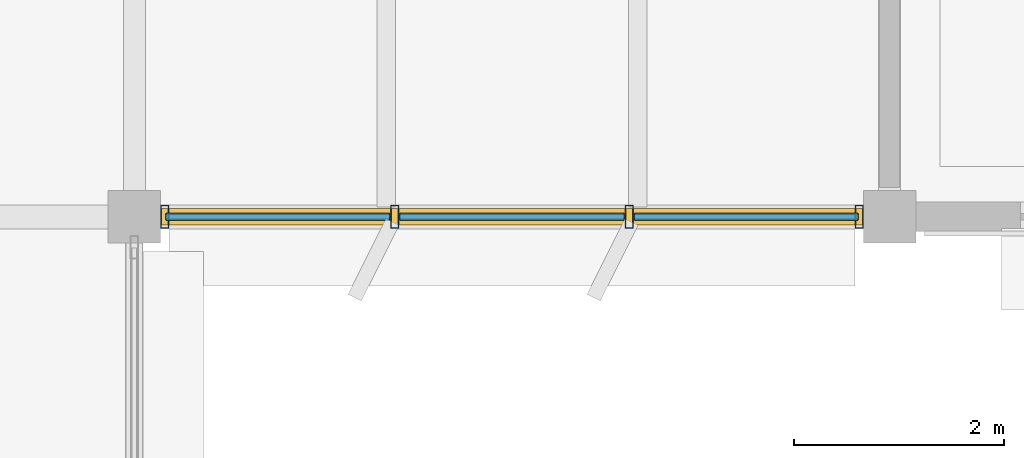
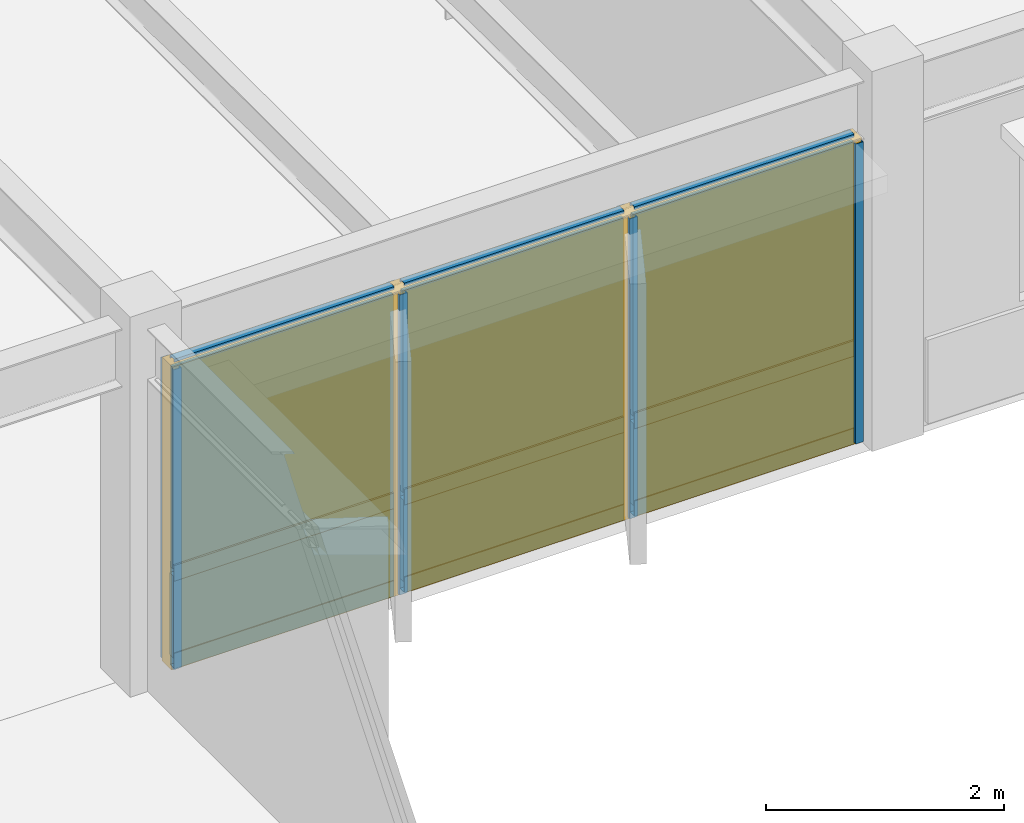
# One storey, part 57 of 82: 13 members, 6 plates, 1 curtain wall.
"""IFC4 building model written with IfcOpenShell, lengths in metres."""

from ifc_helpers import new_model, si_unit, direction, frame, origin, origin_2d, place, context, subcontext, project, spatial, rectangle, hollow_rectangle, extrude, material, layer, layer_set, material_profile, profile_set, type_object, element, aggregate, save


model = new_model("IFC4")

# Units and contexts
model_context = context("Model", 3, precision=1e-05, world=origin(), true_north=direction((0.0, 1.0)))
body_context = subcontext(model_context, "Body", "Model", "MODEL_VIEW")
ifc_project = project(units=[si_unit("LENGTHUNIT", "METRE"), si_unit("AREAUNIT", "SQUARE_METRE"), si_unit("VOLUMEUNIT", "CUBIC_METRE"), si_unit("PLANEANGLEUNIT", "RADIAN"), si_unit("MASSUNIT", "GRAM", prefix="KILO")], contexts=[model_context])

# Member
ifc_material_1 = material(Name="Anodized Aluminium 6063-T6", Category="aluminium")
ifc_material_profile_1 = material_profile(ifc_material_1, hollow_rectangle(XDim=0.074951171875, YDim=0.219970703125, WallThickness=0.0048828125, at=origin_2d()), Name="ALU 75x220x5")
ifc_profile_set_1 = profile_set([ifc_material_profile_1], Name="Anodized Aluminium 6063-T6")
member_type_1 = type_object("IfcMemberType", Name="CWM-75X180", PredefinedType="MULLION", material=ifc_profile_set_1)
site_placement = place(None, origin())
building_placement = place(site_placement, origin())
storey_placement = place(building_placement, frame((0.0, 0.0, 14.10009765625)))
member_1_placement = place(storey_placement, frame((42.909912109375, 79.199951171875, 0.02001953125), z_axis=(0.0, 0.0, 1.0), x_axis=(1.0, 0.0, 0.0)))
member_1 = element("IfcMember", 1, at=member_1_placement, type_object=member_type_1, Name="Curtain wall mullion CW-L04-05-11-S-00", PredefinedType="MULLION", context=body_context, shape_type="SweptSolid", body=[
    extrude(hollow_rectangle(XDim=0.074951171875, YDim=0.219970703125, WallThickness=0.0048828125, at=origin_2d()), origin(), (0.0, 0.0, 1.0), 3.077880859375),
])

member_2_placement = place(storey_placement, frame((40.716796875, 79.199951171875, 0.02001953125), z_axis=(0.0, 0.0, 1.0), x_axis=(1.0, 0.0, 0.0)))
member_2 = element("IfcMember", 2, at=member_2_placement, type_object=member_type_1, Name="Curtain wall mullion CW-L04-05-11-S-01", PredefinedType="MULLION", context=body_context, shape_type="SweptSolid", body=[
    extrude(hollow_rectangle(XDim=0.074951171875, YDim=0.219970703125, WallThickness=0.0048828125, at=origin_2d()), origin(), (0.0, 0.0, 1.0), 3.077880859375),
])

member_3_placement = place(storey_placement, frame((38.4833984375, 79.199951171875, 0.02001953125), z_axis=(0.0, 0.0, 1.0), x_axis=(1.0, 0.0, 0.0)))
member_3 = element("IfcMember", 3, at=member_3_placement, type_object=member_type_1, Name="Curtain wall mullion CW-L04-05-11-S-02", PredefinedType="MULLION", context=body_context, shape_type="SweptSolid", body=[
    extrude(hollow_rectangle(XDim=0.074951171875, YDim=0.219970703125, WallThickness=0.0048828125, at=origin_2d()), origin(), (0.0, 0.0, 1.0), 3.077880859375),
])

member_4_placement = place(storey_placement, frame((36.2900390625, 79.199951171875, 0.02001953125), z_axis=(0.0, 0.0, 1.0), x_axis=(1.0, 0.0, 0.0)))
member_4 = element("IfcMember", 4, at=member_4_placement, type_object=member_type_1, Name="Curtain wall mullion CW-L04-05-11-S-03", PredefinedType="MULLION", context=body_context, shape_type="SweptSolid", body=[
    extrude(hollow_rectangle(XDim=0.074951171875, YDim=0.219970703125, WallThickness=0.0048828125, at=origin_2d()), origin(), (0.0, 0.0, 1.0), 3.077880859375),
])

ifc_material_profile_2 = material_profile(ifc_material_1, hollow_rectangle(XDim=0.074951171875, YDim=0.159912109375, WallThickness=0.00390625, at=origin_2d()), Name="ALU 75x160x4")
ifc_profile_set_2 = profile_set([ifc_material_profile_2], Name="Anodized Aluminium 6063-T6")
member_type_2 = type_object("IfcMemberType", Name="CWT-75X150", PredefinedType="USERDEFINED", material=ifc_profile_set_2)
member_5_placement = place(storey_placement, frame((42.89990234375, 79.199951171875, 0.0498046875), z_axis=(-1.0, 0.0, 0.0), x_axis=(0.0, -1.0, 0.0)))
member_5 = element("IfcMember", 5, at=member_5_placement, type_object=member_type_2, Name="Curtain wall transom CW-L04-05-11-S-1.01", ObjectType="TRANSOM", PredefinedType="USERDEFINED", context=body_context, shape_type="SweptSolid", body=[
    extrude(hollow_rectangle(XDim=0.074951171875, YDim=0.159912109375, WallThickness=0.00390625, at=origin_2d()), origin(), (0.0, 0.0, 1.0), 2.13330078125),
])

member_6_placement = place(storey_placement, frame((40.666748046875, 79.199951171875, 0.0498046875), z_axis=(-1.0, 0.0, 0.0), x_axis=(0.0, -1.0, 0.0)))
member_6 = element("IfcMember", 6, at=member_6_placement, type_object=member_type_2, Name="Curtain wall transom CW-L04-05-11-S-1.02", ObjectType="TRANSOM", PredefinedType="USERDEFINED", context=body_context, shape_type="SweptSolid", body=[
    extrude(hollow_rectangle(XDim=0.074951171875, YDim=0.159912109375, WallThickness=0.00390625, at=origin_2d()), origin(), (0.0, 0.0, 1.0), 2.133544921875),
])

member_7_placement = place(storey_placement, frame((38.433349609375, 79.199951171875, 0.0498046875), z_axis=(-1.0, 0.0, 0.0), x_axis=(0.0, -1.0, 0.0)))
member_7 = element("IfcMember", 7, at=member_7_placement, type_object=member_type_2, Name="Curtain wall transom CW-L04-05-11-S-1.03", ObjectType="TRANSOM", PredefinedType="USERDEFINED", context=body_context, shape_type="SweptSolid", body=[
    extrude(hollow_rectangle(XDim=0.074951171875, YDim=0.159912109375, WallThickness=0.00390625, at=origin_2d()), origin(), (0.0, 0.0, 1.0), 2.13330078125),
])

member_8_placement = place(storey_placement, frame((42.89990234375, 79.199951171875, 0.949951171875), z_axis=(-1.0, 0.0, 0.0), x_axis=(0.0, -1.0, 0.0)))
member_8 = element("IfcMember", 8, at=member_8_placement, type_object=member_type_2, Name="Curtain wall transom CW-L04-05-11-S-2.01", ObjectType="TRANSOM", PredefinedType="USERDEFINED", context=body_context, shape_type="SweptSolid", body=[
    extrude(hollow_rectangle(XDim=0.074951171875, YDim=0.159912109375, WallThickness=0.00390625, at=origin_2d()), origin(), (0.0, 0.0, 1.0), 2.13330078125),
])

member_9_placement = place(storey_placement, frame((40.666748046875, 79.199951171875, 0.949951171875), z_axis=(-1.0, 0.0, 0.0), x_axis=(0.0, -1.0, 0.0)))
member_9 = element("IfcMember", 9, at=member_9_placement, type_object=member_type_2, Name="Curtain wall transom CW-L04-05-11-S-2.02", ObjectType="TRANSOM", PredefinedType="USERDEFINED", context=body_context, shape_type="SweptSolid", body=[
    extrude(hollow_rectangle(XDim=0.074951171875, YDim=0.159912109375, WallThickness=0.00390625, at=origin_2d()), origin(), (0.0, 0.0, 1.0), 2.133544921875),
])

member_10_placement = place(storey_placement, frame((38.433349609375, 79.199951171875, 0.949951171875), z_axis=(-1.0, 0.0, 0.0), x_axis=(0.0, -1.0, 0.0)))
member_10 = element("IfcMember", 10, at=member_10_placement, type_object=member_type_2, Name="Curtain wall transom CW-L04-05-11-S-2.03", ObjectType="TRANSOM", PredefinedType="USERDEFINED", context=body_context, shape_type="SweptSolid", body=[
    extrude(hollow_rectangle(XDim=0.074951171875, YDim=0.159912109375, WallThickness=0.00390625, at=origin_2d()), origin(), (0.0, 0.0, 1.0), 2.13330078125),
])

member_11_placement = place(storey_placement, frame((42.89990234375, 79.199951171875, 3.06787109375), z_axis=(-1.0, 0.0, 0.0), x_axis=(0.0, -1.0, 0.0)))
member_11 = element("IfcMember", 11, at=member_11_placement, type_object=member_type_2, Name="Curtain wall transom CW-L04-05-11-S-3.01", ObjectType="TRANSOM", PredefinedType="USERDEFINED", context=body_context, shape_type="SweptSolid", body=[
    extrude(hollow_rectangle(XDim=0.074951171875, YDim=0.159912109375, WallThickness=0.00390625, at=origin_2d()), origin(), (0.0, 0.0, 1.0), 2.13330078125),
])

member_12_placement = place(storey_placement, frame((40.666748046875, 79.199951171875, 3.06787109375), z_axis=(-1.0, 0.0, 0.0), x_axis=(0.0, -1.0, 0.0)))
member_12 = element("IfcMember", 12, at=member_12_placement, type_object=member_type_2, Name="Curtain wall transom CW-L04-05-11-S-3.02", ObjectType="TRANSOM", PredefinedType="USERDEFINED", context=body_context, shape_type="SweptSolid", body=[
    extrude(hollow_rectangle(XDim=0.074951171875, YDim=0.159912109375, WallThickness=0.00390625, at=origin_2d()), origin(), (0.0, 0.0, 1.0), 2.133544921875),
])

member_13_placement = place(storey_placement, frame((38.433349609375, 79.199951171875, 3.06787109375), z_axis=(-1.0, 0.0, 0.0), x_axis=(0.0, -1.0, 0.0)))
member_13 = element("IfcMember", 13, at=member_13_placement, type_object=member_type_2, Name="Curtain wall transom CW-L04-05-11-S-3.03", ObjectType="TRANSOM", PredefinedType="USERDEFINED", context=body_context, shape_type="SweptSolid", body=[
    extrude(hollow_rectangle(XDim=0.074951171875, YDim=0.159912109375, WallThickness=0.00390625, at=origin_2d()), origin(), (0.0, 0.0, 1.0), 2.13330078125),
])

# Plate
ifc_material_2 = material(Name="Acoustic Laminated Low-E Glazing", Category="glass")
ifc_layer_1 = layer(ifc_material_2, 0.0439453125)
ifc_layer_set_1 = layer_set([ifc_layer_1], Name="Acoustic Laminated Low-E Glazing")
plate_type_1 = type_object("IfcPlateType", Name="CWP-IGU-44", PredefinedType="CURTAIN_PANEL", material=ifc_layer_set_1)
plate_1_placement = place(storey_placement, frame((41.833251953125, 79.199951171875, 0.98974609375), z_axis=(0.0, 0.0, 1.0), x_axis=(-1.0, 0.0, 0.0)))
plate_1 = element("IfcPlate", 14, at=plate_1_placement, type_object=plate_type_1, Name="Curtain wall vision glazing CW-L04-05-11-S-01", PredefinedType="CURTAIN_PANEL", context=body_context, shape_type="SweptSolid", body=[
    extrude(rectangle(XDim=2.143310546875, YDim=0.0400390625, at=origin_2d()), origin(), (0.0, 0.0, 1.0), 2.068115234375),
])

plate_2_placement = place(storey_placement, frame((39.60009765625, 79.199951171875, 0.98974609375), z_axis=(0.0, 0.0, 1.0), x_axis=(-1.0, 0.0, 0.0)))
plate_2 = element("IfcPlate", 15, at=plate_2_placement, type_object=plate_type_1, Name="Curtain wall vision glazing CW-L04-05-11-S-02", PredefinedType="CURTAIN_PANEL", context=body_context, shape_type="SweptSolid", body=[
    extrude(rectangle(XDim=2.143310546875, YDim=0.0400390625, at=origin_2d()), origin(), (0.0, 0.0, 1.0), 2.068115234375),
])

plate_3_placement = place(storey_placement, frame((37.36669921875, 79.199951171875, 0.98974609375), z_axis=(0.0, 0.0, 1.0), x_axis=(-1.0, 0.0, 0.0)))
plate_3 = element("IfcPlate", 16, at=plate_3_placement, type_object=plate_type_1, Name="Curtain wall vision glazing CW-L04-05-11-S-03", PredefinedType="CURTAIN_PANEL", context=body_context, shape_type="SweptSolid", body=[
    extrude(rectangle(XDim=2.143310546875, YDim=0.0400390625, at=origin_2d()), origin(), (0.0, 0.0, 1.0), 2.068115234375),
])

ifc_material_3 = material(Name="Insulated Stone-Composite Spandrel", Category="masonry")
ifc_layer_2 = layer(ifc_material_3, 0.068115234375)
ifc_layer_set_2 = layer_set([ifc_layer_2], Name="Insulated Stone-Composite Spandrel")
plate_type_2 = type_object("IfcPlateType", Name="CWP-SPN-68", PredefinedType="CURTAIN_PANEL", material=ifc_layer_set_2)
plate_4_placement = place(storey_placement, frame((41.833251953125, 79.199951171875, 0.080078125), z_axis=(0.0, 0.0, 1.0), x_axis=(-1.0, 0.0, 0.0)))
plate_4 = element("IfcPlate", 17, at=plate_4_placement, type_object=plate_type_2, Name="Curtain wall spandrel panel CW-L04-05-11-S-01", PredefinedType="CURTAIN_PANEL", context=body_context, shape_type="SweptSolid", body=[
    extrude(rectangle(XDim=2.143310546875, YDim=0.06005859375, at=origin_2d()), origin(), (0.0, 0.0, 1.0), 0.840087890625),
])

plate_5_placement = place(storey_placement, frame((39.60009765625, 79.199951171875, 0.080078125), z_axis=(0.0, 0.0, 1.0), x_axis=(-1.0, 0.0, 0.0)))
plate_5 = element("IfcPlate", 18, at=plate_5_placement, type_object=plate_type_2, Name="Curtain wall spandrel panel CW-L04-05-11-S-02", PredefinedType="CURTAIN_PANEL", context=body_context, shape_type="SweptSolid", body=[
    extrude(rectangle(XDim=2.143310546875, YDim=0.06005859375, at=origin_2d()), origin(), (0.0, 0.0, 1.0), 0.840087890625),
])

plate_6_placement = place(storey_placement, frame((37.36669921875, 79.199951171875, 0.080078125), z_axis=(0.0, 0.0, 1.0), x_axis=(-1.0, 0.0, 0.0)))
plate_6 = element("IfcPlate", 19, at=plate_6_placement, type_object=plate_type_2, Name="Curtain wall spandrel panel CW-L04-05-11-S-03", PredefinedType="CURTAIN_PANEL", context=body_context, shape_type="SweptSolid", body=[
    extrude(rectangle(XDim=2.143310546875, YDim=0.06005859375, at=origin_2d()), origin(), (0.0, 0.0, 1.0), 0.840087890625),
])

# Site, building, storey
site = spatial("IfcSite", under=ifc_project, at=site_placement, CompositionType="ELEMENT")
building = spatial("IfcBuilding", under=site, at=building_placement, Name="Sillqori Civic Hall", CompositionType="ELEMENT")
storey = spatial("IfcBuildingStorey", under=building, at=storey_placement, Name="L04", CompositionType="ELEMENT", Elevation=14.10009765625)

# Curtain wall
ifc_material_4 = material(Name="Anodized Aluminium Curtain Wall System", Category="aluminium")
curtain_wall_type = type_object("IfcCurtainWallType", Name="CW-AD-370", PredefinedType="NOTDEFINED", material=ifc_material_4)
curtain_wall_placement = place(storey_placement, frame((39.60009765625, 79.199951171875, 0.0), z_axis=(0.0, 0.0, 1.0), x_axis=(-1.0, 0.0, 0.0)))
curtain_wall = element("IfcCurtainWall", 20, at=curtain_wall_placement, inside=storey, type_object=curtain_wall_type, Name="L04 unitised curtain wall CW-L04-05-11-S", PredefinedType="NOTDEFINED", context=body_context, shape_type="SweptSolid", body=[
    extrude(rectangle(XDim=6.699951171875, YDim=0.159912109375, at=origin_2d()), origin(), (0.0, 0.0, 1.0), 3.117919921875),
])

aggregate(curtain_wall, [member_1, member_2, member_3, member_4, member_5, member_6, member_7, member_8, member_9, member_10, member_11, member_12, member_13, plate_4, plate_1, plate_5, plate_2, plate_6, plate_3])

save(model, "model.ifc")
